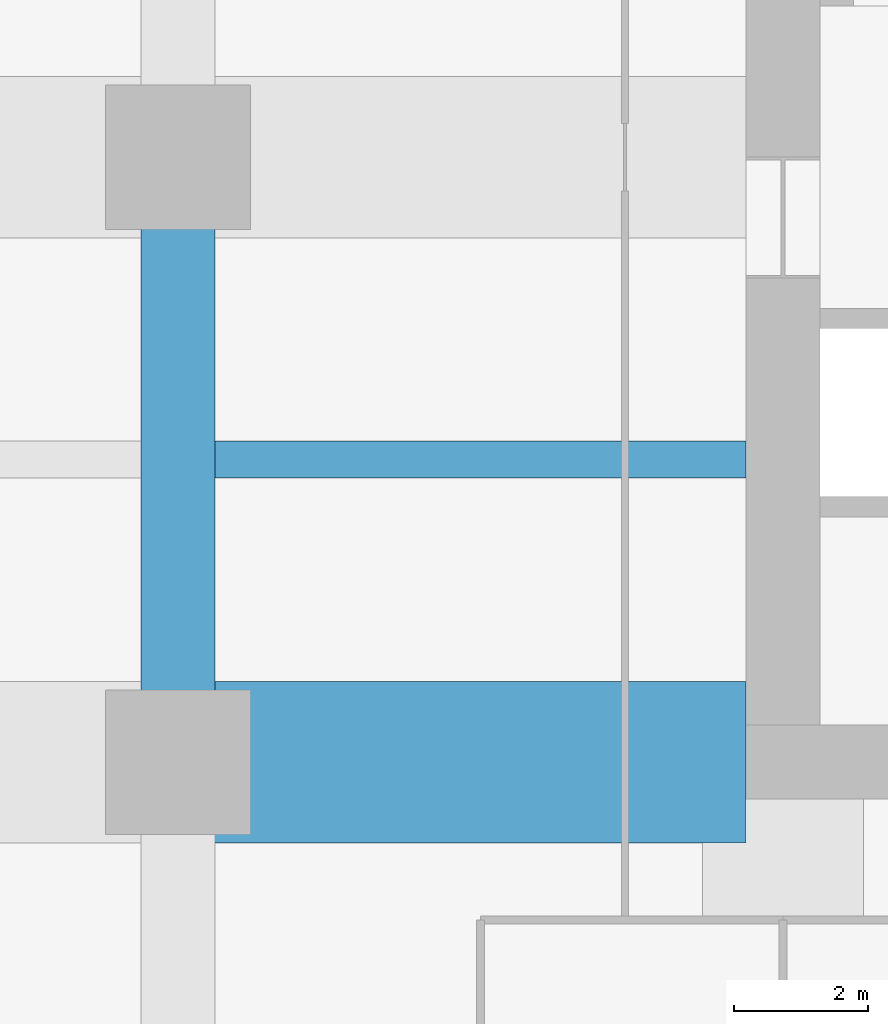
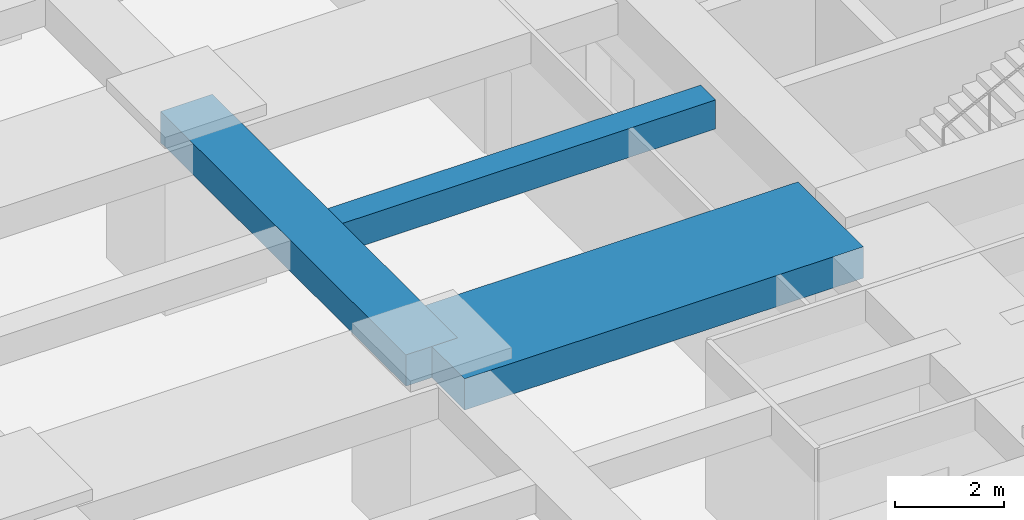
# One storey, part 9 of 43: 3 beams.
"""IFC4 building model written with IfcOpenShell, lengths in metres."""

from ifc_helpers import new_model, si_unit, direction, frame, origin, origin_2d, place, context, subcontext, project, spatial, rectangle, extrude, material, material_profile, profile_set, type_object, element, save


model = new_model("IFC4")

# Units and contexts
model_context = context("Model", 3, precision=1e-05, world=origin(), true_north=direction((0.0, 1.0)))
body_context = subcontext(model_context, "Body", "Model", "MODEL_VIEW")
ifc_project = project(units=[si_unit("LENGTHUNIT", "METRE"), si_unit("AREAUNIT", "SQUARE_METRE"), si_unit("VOLUMEUNIT", "CUBIC_METRE"), si_unit("PLANEANGLEUNIT", "RADIAN"), si_unit("MASSUNIT", "GRAM", prefix="KILO")], contexts=[model_context])

# Site, building, storey
site_placement = place(None, origin())
site = spatial("IfcSite", under=ifc_project, at=site_placement, CompositionType="ELEMENT")
building_placement = place(site_placement, origin())
building = spatial("IfcBuilding", under=site, at=building_placement, Name="Zorevar Civic Tower", CompositionType="ELEMENT")
storey_placement = place(building_placement, frame((0.0, 0.0, 67.800048828125)))
storey = spatial("IfcBuildingStorey", under=building, at=storey_placement, Name="L16", CompositionType="ELEMENT", Elevation=67.800048828125)

# Beams
ifc_material_1 = material(Name="Concrete C50/60", Category="concrete")
ifc_material_profile_1 = material_profile(ifc_material_1, rectangle(XDim=1.10009765625, YDim=0.699951171875, at=origin_2d()), Name="RC 1100x700")
ifc_profile_set_1 = profile_set([ifc_material_profile_1], Name="Concrete C50/60")
beam_type_1 = type_object("IfcBeamType", Name="Beam RC 1100x700", PredefinedType="BEAM", material=ifc_profile_set_1)
beam_1_placement = place(storey_placement, frame((9.0, 18.0, 3.39990234375), z_axis=(0.0, 1.0, 0.0), x_axis=(-1.0, 0.0, 0.0)))
element("IfcBeam", 1, at=beam_1_placement, inside=storey, type_object=beam_type_1, Name="Girder L17", PredefinedType="BEAM", context=body_context, shape_type="SweptSolid", body=[
    extrude(rectangle(XDim=1.10009765625, YDim=0.699951171875, at=origin_2d()), origin(), (0.0, 0.0, 1.0), 9.0),
])
ifc_material_2 = material(Name="Concrete C50/60", Category="concrete")
ifc_material_profile_2 = material_profile(ifc_material_2, rectangle(XDim=2.39990234375, YDim=0.699951171875, at=origin_2d()), Name="RC 2400x700")
ifc_profile_set_2 = profile_set([ifc_material_profile_2], Name="Concrete C50/60")
beam_type_2 = type_object("IfcBeamType", Name="Beam RC 2400x700", PredefinedType="BEAM", material=ifc_profile_set_2)
beam_2_placement = place(storey_placement, frame((9.0, 18.0, 3.39990234375), z_axis=(1.0, 0.0, 0.0), x_axis=(0.0, 1.0, 0.0)))
element("IfcBeam", 2, at=beam_2_placement, inside=storey, type_object=beam_type_2, Name="Girder L17", PredefinedType="BEAM", context=body_context, shape_type="SweptSolid", body=[
    extrude(rectangle(XDim=2.39990234375, YDim=0.699951171875, at=origin_2d()), origin(), (0.0, 0.0, 1.0), 8.449951171875),
])
ifc_material_3 = material(Name="Concrete C50/60", Category="concrete")
ifc_material_profile_3 = material_profile(ifc_material_3, rectangle(XDim=0.550048828125, YDim=0.64990234375, at=origin_2d()), Name="RC 550x650")
ifc_profile_set_3 = profile_set([ifc_material_profile_3], Name="Concrete C50/60")
beam_type_3 = type_object("IfcBeamType", Name="Beam RC 550x650", PredefinedType="BEAM", material=ifc_profile_set_3)
beam_3_placement = place(storey_placement, frame((9.550048828125, 22.5, 3.425048828125), z_axis=(1.0, 0.0, 0.0), x_axis=(0.0, 1.0, 0.0)))
element("IfcBeam", 3, at=beam_3_placement, inside=storey, type_object=beam_type_3, Name="Secondary beam L17", PredefinedType="BEAM", context=body_context, shape_type="SweptSolid", body=[
    extrude(rectangle(XDim=0.550048828125, YDim=0.64990234375, at=origin_2d()), origin(), (0.0, 0.0, 1.0), 7.89990234375),
])

save(model, "model.ifc")
